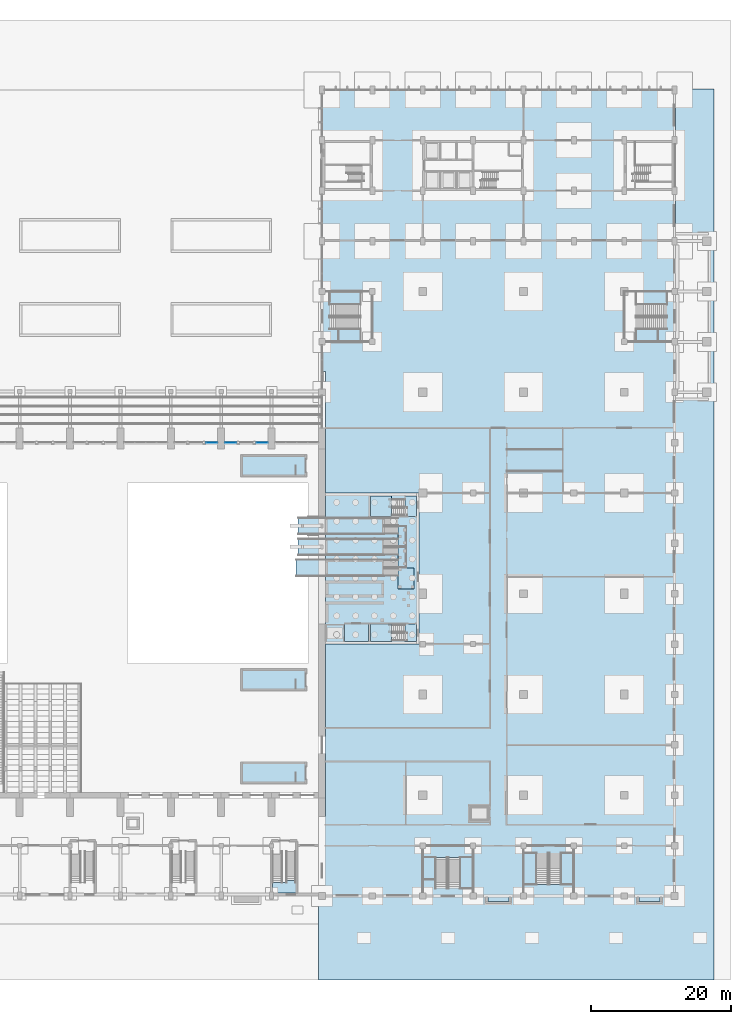
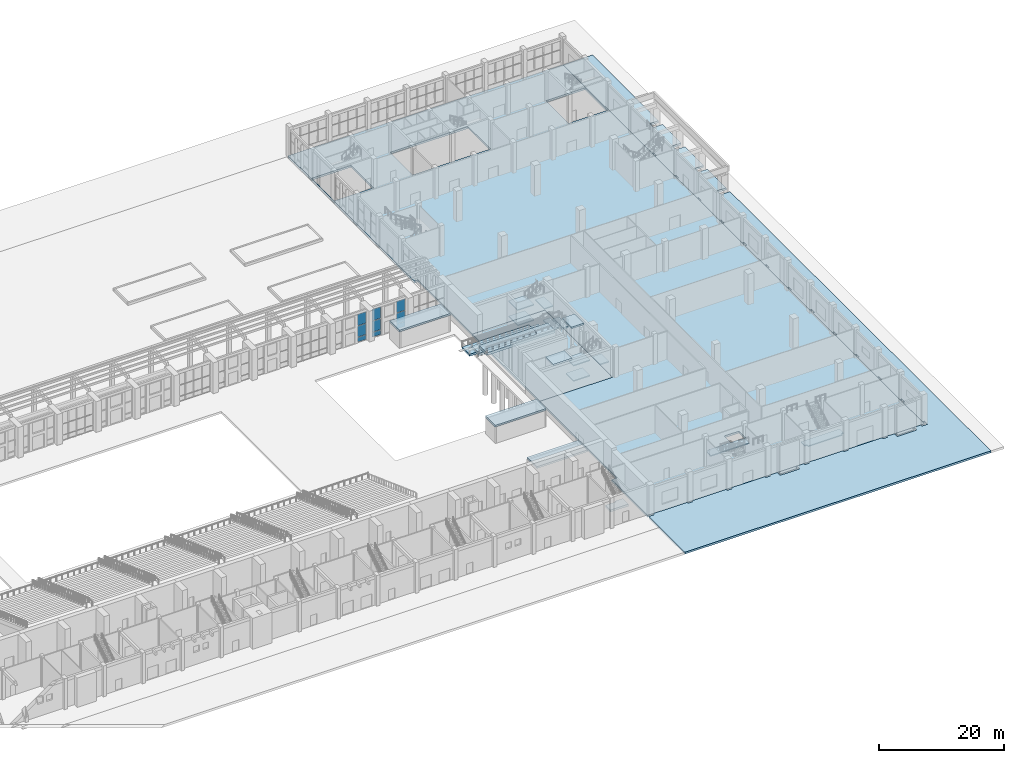
# One storey, part 35 of 70: 24 slabs, 9 plates, 9 elements without a shape of their own.
"""IFC4 building model written with IfcOpenShell, lengths in metres."""

from ifc_helpers import new_model, si_unit, direction, frame, origin, origin_2d, place, context, subcontext, project, spatial, polyline, rectangle, outline, extrude, material, layer, layer_set, type_object, element, aggregate, save


model = new_model("IFC4")

# Units and contexts
model_context = context("Model", 3, precision=1e-05, world=origin(), true_north=direction((0.0, 1.0)))
body_context = subcontext(model_context, "Body", "Model", "MODEL_VIEW")
ifc_project = project(units=[si_unit("LENGTHUNIT", "METRE"), si_unit("AREAUNIT", "SQUARE_METRE"), si_unit("VOLUMEUNIT", "CUBIC_METRE"), si_unit("PLANEANGLEUNIT", "RADIAN"), si_unit("MASSUNIT", "GRAM", prefix="KILO")], contexts=[model_context])

# Site, building, storey
site_placement = place(None, origin())
site = spatial("IfcSite", under=ifc_project, at=site_placement, CompositionType="ELEMENT")
building_placement = place(site_placement, origin())
building = spatial("IfcBuilding", under=site, at=building_placement, Name="Vermilion Court Aquatics Centre", CompositionType="ELEMENT")
storey_placement = place(building_placement, origin())
storey = spatial("IfcBuildingStorey", under=building, at=storey_placement, Name="L00", CompositionType="ELEMENT", Elevation=0.0)

# Slabs
ifc_material_1 = material(Name="Concrete 5000 psi", Category="concrete")
ifc_layer_1 = layer(ifc_material_1, 0.405029296875)
ifc_layer_set_1 = layer_set([ifc_layer_1], Name="Diving Tower ground slab 405")
slab_type_1 = type_object("IfcSlabType", Name="Diving Tower ground slab 405", PredefinedType="BASESLAB", material=ifc_layer_set_1)
slab_1_placement = place(storey_placement, frame((0.0, 0.0, -0.405029296875)))
element("IfcSlab", 1, at=slab_1_placement, inside=storey, type_object=slab_type_1, Name="Diving Tower ground slab L00", PredefinedType="BASESLAB", context=body_context, shape_type="SweptSolid", body=[
    extrude(outline(polyline([(144.5, 36.0), (157.89990234375, 36.0), (157.89990234375, 57.60009765625), (144.5, 57.60009765625), (144.5, 36.0)])), origin(), (0.0, 0.0, 1.0), 0.405029296875),
])
ifc_material_2 = material(Name="Concrete 8000 psi", Category="concrete")
ifc_layer_2 = layer(ifc_material_2, 0.35009765625)
ifc_layer_set_2 = layer_set([ifc_layer_2], Name="Diving Tower lift lobby ceiling slab 350")
slab_type_2 = type_object("IfcSlabType", Name="Diving Tower lift lobby ceiling slab 350", PredefinedType="FLOOR", material=ifc_layer_set_2)
slab_2_placement = place(storey_placement, frame((0.0, 0.0, 5.64990234375)))
element("IfcSlab", 2, at=slab_2_placement, inside=storey, type_object=slab_type_2, Name="Diving Tower lift lobby ceiling slab", PredefinedType="FLOOR", context=body_context, shape_type="SweptSolid", body=[
    extrude(outline(polyline([(147.199951171875, 36.39990234375), (150.64990234375, 36.39990234375), (150.64990234375, 38.875), (147.199951171875, 38.875), (147.199951171875, 36.39990234375)])), origin(), (0.0, 0.0, 1.0), 0.35009765625),
])

# Stair, slabs
ifc_material_3 = material(Name="Concrete 5000 psi", Category="concrete")
stair_type_1 = type_object("IfcStairType", Name="Diving Tower stair 1130", PredefinedType="HALF_TURN_STAIR", material=ifc_material_3)
stair_1_placement = place(storey_placement, origin())
stair_1 = element("IfcStair", 3, at=stair_1_placement, inside=storey, type_object=stair_type_1, Name="Exit stair ST-D1 L00", PredefinedType="HALF_TURN_STAIR")
ifc_material_4 = material(Name="Concrete 5000 psi", Category="concrete")
ifc_layer_3 = layer(ifc_material_4, 0.199951171875)
ifc_layer_set_3 = layer_set([ifc_layer_3], Name="Diving Tower stair landing 200")
slab_type_3 = type_object("IfcSlabType", Name="Diving Tower stair landing 200", PredefinedType="LANDING", material=ifc_layer_set_3)
slab_3_placement = place(storey_placement, frame((0.0, 0.0, 1.300048828125)))
slab_3 = element("IfcSlab", 4, at=slab_3_placement, type_object=slab_type_3, Name="ST-D1 landing 1", PredefinedType="LANDING", context=body_context, shape_type="SweptSolid", body=[
    extrude(outline(polyline([(150.949951171875, 36.39990234375), (153.9599609375, 36.39990234375), (153.9599609375, 38.875), (150.949951171875, 38.875), (150.949951171875, 36.39990234375)])), origin(), (0.0, 0.0, 1.0), 0.199951171875),
])
slab_4_placement = place(storey_placement, frame((0.0, 0.0, 2.800048828125)))
slab_4 = element("IfcSlab", 5, at=slab_4_placement, type_object=slab_type_3, Name="ST-D1 landing 2", PredefinedType="LANDING", context=body_context, shape_type="SweptSolid", body=[
    extrude(outline(polyline([(155.85009765625, 36.39990234375), (157.5, 36.39990234375), (157.5, 38.875), (155.85009765625, 38.875), (155.85009765625, 36.39990234375)])), origin(), (0.0, 0.0, 1.0), 0.199951171875),
])
slab_5_placement = place(storey_placement, frame((0.0, 0.0, 4.300048828125)))
slab_5 = element("IfcSlab", 6, at=slab_5_placement, type_object=slab_type_3, Name="ST-D1 landing 3", PredefinedType="LANDING", context=body_context, shape_type="SweptSolid", body=[
    extrude(outline(polyline([(150.949951171875, 36.39990234375), (153.9599609375, 36.39990234375), (153.9599609375, 38.875), (150.949951171875, 38.875), (150.949951171875, 36.39990234375)])), origin(), (0.0, 0.0, 1.0), 0.199951171875),
])
aggregate(stair_1, [slab_3, slab_4, slab_5])

stair_2_placement = place(storey_placement, origin())
stair_2 = element("IfcStair", 7, at=stair_2_placement, inside=storey, type_object=stair_type_1, Name="Exit stair ST-D2 L00", PredefinedType="HALF_TURN_STAIR")
slab_6_placement = place(storey_placement, frame((0.0, 0.0, 1.300048828125)))
slab_6 = element("IfcSlab", 8, at=slab_6_placement, type_object=slab_type_3, Name="ST-D2 landing 1", PredefinedType="LANDING", context=body_context, shape_type="SweptSolid", body=[
    extrude(outline(polyline([(150.949951171875, 54.27490234375), (153.9599609375, 54.27490234375), (153.9599609375, 57.199951171875), (150.949951171875, 57.199951171875), (150.949951171875, 54.27490234375)])), origin(), (0.0, 0.0, 1.0), 0.199951171875),
])
slab_7_placement = place(storey_placement, frame((0.0, 0.0, 2.800048828125)))
slab_7 = element("IfcSlab", 9, at=slab_7_placement, type_object=slab_type_3, Name="ST-D2 landing 2", PredefinedType="LANDING", context=body_context, shape_type="SweptSolid", body=[
    extrude(outline(polyline([(155.85009765625, 54.27490234375), (157.5, 54.27490234375), (157.5, 57.199951171875), (155.85009765625, 57.199951171875), (155.85009765625, 54.27490234375)])), origin(), (0.0, 0.0, 1.0), 0.199951171875),
])
slab_8_placement = place(storey_placement, frame((0.0, 0.0, 4.300048828125)))
slab_8 = element("IfcSlab", 10, at=slab_8_placement, type_object=slab_type_3, Name="ST-D2 landing 3", PredefinedType="LANDING", context=body_context, shape_type="SweptSolid", body=[
    extrude(outline(polyline([(150.949951171875, 54.27490234375), (153.9599609375, 54.27490234375), (153.9599609375, 57.199951171875), (150.949951171875, 57.199951171875), (150.949951171875, 54.27490234375)])), origin(), (0.0, 0.0, 1.0), 0.199951171875),
])
aggregate(stair_2, [slab_6, slab_7, slab_8])

# Curtain wall, plates
ifc_material_5 = material(Name="Aluminium 6063-T5", Category="aluminium")
curtain_wall_type = type_object("IfcCurtainWallType", Name="Envelope curtain wall hall glazing L00", PredefinedType="NOTDEFINED", material=ifc_material_5)
curtain_wall_1_placement = place(storey_placement, origin())
curtain_wall_1 = element("IfcCurtainWall", 11, at=curtain_wall_1_placement, inside=storey, type_object=curtain_wall_type, Name="Hall entrance sidelight bay 16 L00 E", PredefinedType="NOTDEFINED")
ifc_material_6 = material(Name="Glazing", Category="glass")
ifc_layer_4 = layer(ifc_material_6, 0.028076171875)
ifc_layer_set_4 = layer_set([ifc_layer_4], Name="Envelope insulated glazing panel 28")
plate_type = type_object("IfcPlateType", Name="Envelope insulated glazing panel 28", PredefinedType="CURTAIN_PANEL", material=ifc_layer_set_4)
plate_1_placement = place(storey_placement, frame((128.25, 64.800048828125, 0.06005859375), z_axis=(0.0, 0.0, 1.0), x_axis=(1.0, 0.0, 0.0)))
plate_1 = element("IfcPlate", 12, at=plate_1_placement, type_object=plate_type, Name="ECW1 panel 1.1", PredefinedType="CURTAIN_PANEL", context=body_context, shape_type="SweptSolid", body=[
    extrude(rectangle(XDim=1.580078125, YDim=0.028076171875, at=origin_2d()), origin(), (0.0, 0.0, 1.0), 0.909912109375),
])
plate_2_placement = place(storey_placement, frame((128.25, 64.800048828125, 1.0302734375), z_axis=(0.0, 0.0, 1.0), x_axis=(1.0, 0.0, 0.0)))
plate_2 = element("IfcPlate", 13, at=plate_2_placement, type_object=plate_type, Name="ECW1 panel 1.2", PredefinedType="CURTAIN_PANEL", context=body_context, shape_type="SweptSolid", body=[
    extrude(rectangle(XDim=1.580078125, YDim=0.028076171875, at=origin_2d()), origin(), (0.0, 0.0, 1.0), 2.139892578125),
])
plate_3_placement = place(storey_placement, frame((128.25, 64.800048828125, 3.22998046875), z_axis=(0.0, 0.0, 1.0), x_axis=(1.0, 0.0, 0.0)))
plate_3 = element("IfcPlate", 14, at=plate_3_placement, type_object=plate_type, Name="ECW1 panel 1.3", PredefinedType="CURTAIN_PANEL", context=body_context, shape_type="SweptSolid", body=[
    extrude(rectangle(XDim=1.580078125, YDim=0.028076171875, at=origin_2d()), origin(), (0.0, 0.0, 1.0), 2.260009765625),
])
aggregate(curtain_wall_1, [plate_1, plate_2, plate_3])

curtain_wall_2_placement = place(storey_placement, origin())
curtain_wall_2 = element("IfcCurtainWall", 15, at=curtain_wall_2_placement, inside=storey, type_object=curtain_wall_type, Name="Hall entrance sidelight bay 17 L00 W", PredefinedType="NOTDEFINED")
plate_4_placement = place(storey_placement, frame((130.949951171875, 64.800048828125, 0.06005859375), z_axis=(0.0, 0.0, 1.0), x_axis=(1.0, 0.0, 0.0)))
plate_4 = element("IfcPlate", 16, at=plate_4_placement, type_object=plate_type, Name="ECW1 panel 1.1", PredefinedType="CURTAIN_PANEL", context=body_context, shape_type="SweptSolid", body=[
    extrude(rectangle(XDim=1.580078125, YDim=0.028076171875, at=origin_2d()), origin(), (0.0, 0.0, 1.0), 0.909912109375),
])
plate_5_placement = place(storey_placement, frame((130.949951171875, 64.800048828125, 1.0302734375), z_axis=(0.0, 0.0, 1.0), x_axis=(1.0, 0.0, 0.0)))
plate_5 = element("IfcPlate", 17, at=plate_5_placement, type_object=plate_type, Name="ECW1 panel 1.2", PredefinedType="CURTAIN_PANEL", context=body_context, shape_type="SweptSolid", body=[
    extrude(rectangle(XDim=1.580078125, YDim=0.028076171875, at=origin_2d()), origin(), (0.0, 0.0, 1.0), 2.139892578125),
])
plate_6_placement = place(storey_placement, frame((130.949951171875, 64.800048828125, 3.22998046875), z_axis=(0.0, 0.0, 1.0), x_axis=(1.0, 0.0, 0.0)))
plate_6 = element("IfcPlate", 18, at=plate_6_placement, type_object=plate_type, Name="ECW1 panel 1.3", PredefinedType="CURTAIN_PANEL", context=body_context, shape_type="SweptSolid", body=[
    extrude(rectangle(XDim=1.580078125, YDim=0.028076171875, at=origin_2d()), origin(), (0.0, 0.0, 1.0), 2.260009765625),
])
aggregate(curtain_wall_2, [plate_4, plate_5, plate_6])

curtain_wall_3_placement = place(storey_placement, origin())
curtain_wall_3 = element("IfcCurtainWall", 19, at=curtain_wall_3_placement, inside=storey, type_object=curtain_wall_type, Name="Hall entrance sidelight bay 17 L00 E", PredefinedType="NOTDEFINED")
plate_7_placement = place(storey_placement, frame((135.449951171875, 64.800048828125, 0.06005859375), z_axis=(0.0, 0.0, 1.0), x_axis=(1.0, 0.0, 0.0)))
plate_7 = element("IfcPlate", 20, at=plate_7_placement, type_object=plate_type, Name="ECW1 panel 1.1", PredefinedType="CURTAIN_PANEL", context=body_context, shape_type="SweptSolid", body=[
    extrude(rectangle(XDim=1.580078125, YDim=0.028076171875, at=origin_2d()), origin(), (0.0, 0.0, 1.0), 0.909912109375),
])
plate_8_placement = place(storey_placement, frame((135.449951171875, 64.800048828125, 1.0302734375), z_axis=(0.0, 0.0, 1.0), x_axis=(1.0, 0.0, 0.0)))
plate_8 = element("IfcPlate", 21, at=plate_8_placement, type_object=plate_type, Name="ECW1 panel 1.2", PredefinedType="CURTAIN_PANEL", context=body_context, shape_type="SweptSolid", body=[
    extrude(rectangle(XDim=1.580078125, YDim=0.028076171875, at=origin_2d()), origin(), (0.0, 0.0, 1.0), 2.139892578125),
])
plate_9_placement = place(storey_placement, frame((135.449951171875, 64.800048828125, 3.22998046875), z_axis=(0.0, 0.0, 1.0), x_axis=(1.0, 0.0, 0.0)))
plate_9 = element("IfcPlate", 22, at=plate_9_placement, type_object=plate_type, Name="ECW1 panel 1.3", PredefinedType="CURTAIN_PANEL", context=body_context, shape_type="SweptSolid", body=[
    extrude(rectangle(XDim=1.580078125, YDim=0.028076171875, at=origin_2d()), origin(), (0.0, 0.0, 1.0), 2.260009765625),
])
aggregate(curtain_wall_3, [plate_7, plate_8, plate_9])

# Slabs
ifc_material_7 = material(Name="Concrete 5000 psi", Category="concrete")
ifc_layer_5 = layer(ifc_material_7, 0.405029296875)
ifc_layer_set_5 = layer_set([ifc_layer_5], Name="Hall diving platform slab 405")
slab_type_4 = type_object("IfcSlabType", Name="Hall diving platform slab 405", PredefinedType="FLOOR", material=ifc_layer_set_5)
slab_9_placement = place(storey_placement, frame((0.0, 0.0, 0.594970703125)))
element("IfcSlab", 23, at=slab_9_placement, inside=storey, type_object=slab_type_4, Name="Diving platform 1 m", PredefinedType="FLOOR", context=body_context, shape_type="SweptSolid", body=[
    extrude(outline(polyline([(140.60009765625, 51.699951171875), (152.89990234375, 51.699951171875), (152.89990234375, 54.10009765625), (140.60009765625, 54.10009765625), (140.60009765625, 51.699951171875)])), origin(), (0.0, 0.0, 1.0), 0.405029296875),
])
ifc_material_8 = material(Name="Concrete 5000 psi", Category="concrete")
ifc_layer_6 = layer(ifc_material_8, 0.449951171875)
ifc_layer_set_6 = layer_set([ifc_layer_6], Name="Hall diving platform slab 450")
slab_type_5 = type_object("IfcSlabType", Name="Hall diving platform slab 450", PredefinedType="FLOOR", material=ifc_layer_set_6)
slab_10_placement = place(storey_placement, frame((0.0, 0.0, 2.550048828125)))
element("IfcSlab", 24, at=slab_10_placement, inside=storey, type_object=slab_type_5, Name="Diving platform 3 m", PredefinedType="FLOOR", context=body_context, shape_type="SweptSolid", body=[
    extrude(outline(polyline([(140.60009765625, 48.699951171875), (152.89990234375, 48.699951171875), (152.89990234375, 51.10009765625), (140.60009765625, 51.10009765625), (140.60009765625, 48.699951171875)])), origin(), (0.0, 0.0, 1.0), 0.449951171875),
])
ifc_material_9 = material(Name="Concrete 5000 psi", Category="concrete")
ifc_layer_7 = layer(ifc_material_9, 0.5)
ifc_layer_set_7 = layer_set([ifc_layer_7], Name="Hall diving platform slab 500")
slab_type_6 = type_object("IfcSlabType", Name="Hall diving platform slab 500", PredefinedType="FLOOR", material=ifc_layer_set_7)
slab_11_placement = place(storey_placement, frame((0.0, 0.0, 4.5)))
element("IfcSlab", 25, at=slab_11_placement, inside=storey, type_object=slab_type_6, Name="Diving platform 5 m", PredefinedType="FLOOR", context=body_context, shape_type="SweptSolid", body=[
    extrude(outline(polyline([(140.300048828125, 45.699951171875), (152.89990234375, 45.699951171875), (152.89990234375, 48.10009765625), (140.300048828125, 48.10009765625), (140.300048828125, 45.699951171875)])), origin(), (0.0, 0.0, 1.0), 0.5),
])

# Stair, slabs
ifc_material_10 = material(Name="Concrete 5000 psi", Category="concrete")
stair_type_2 = type_object("IfcStairType", Name="Hall diving tower entry stair", PredefinedType="HALF_TURN_STAIR", material=ifc_material_10)
stair_3_placement = place(storey_placement, origin())
stair_3 = element("IfcStair", 26, at=stair_3_placement, inside=storey, type_object=stair_type_2, Name="Diving tower stair A", PredefinedType="HALF_TURN_STAIR")
ifc_material_11 = material(Name="Concrete 5000 psi", Category="concrete")
ifc_layer_8 = layer(ifc_material_11, 0.300048828125)
ifc_layer_set_8 = layer_set([ifc_layer_8], Name="Hall diving stair landing 300")
slab_type_7 = type_object("IfcSlabType", Name="Hall diving stair landing 300", PredefinedType="LANDING", material=ifc_layer_set_8)
slab_12_placement = place(storey_placement, frame((0.0, 0.0, 1.699951171875)))
slab_12 = element("IfcSlab", 27, at=slab_12_placement, type_object=slab_type_7, Name="HT5 landing 1", PredefinedType="LANDING", context=body_context, shape_type="SweptSolid", body=[
    extrude(outline(polyline([(154.860107421875, 49.89990234375), (156.06005859375, 49.89990234375), (156.06005859375, 52.89990234375), (154.860107421875, 52.89990234375), (154.860107421875, 49.89990234375)])), origin(), (0.0, 0.0, 1.0), 0.300048828125),
])
slab_13_placement = place(storey_placement, frame((0.0, 0.0, 3.699951171875)))
slab_13 = element("IfcSlab", 28, at=slab_13_placement, type_object=slab_type_7, Name="HT5 landing 2", PredefinedType="LANDING", context=body_context, shape_type="SweptSolid", body=[
    extrude(outline(polyline([(154.860107421875, 46.89990234375), (156.06005859375, 46.89990234375), (156.06005859375, 49.89990234375), (154.860107421875, 49.89990234375), (154.860107421875, 46.89990234375)])), origin(), (0.0, 0.0, 1.0), 0.300048828125),
])
slab_14_placement = place(storey_placement, frame((0.0, 0.0, 5.699951171875)))
slab_14 = element("IfcSlab", 29, at=slab_14_placement, type_object=slab_type_7, Name="HT5 landing 3", PredefinedType="LANDING", context=body_context, shape_type="SweptSolid", body=[
    extrude(outline(polyline([(154.860107421875, 43.89990234375), (157.179931640625, 43.89990234375), (157.179931640625, 46.89990234375), (154.860107421875, 46.89990234375), (154.860107421875, 43.89990234375)])), origin(), (0.0, 0.0, 1.0), 0.300048828125),
])
aggregate(stair_3, [slab_12, slab_13, slab_14])

# Slabs
ifc_material_12 = material(Name="Concrete 5000 psi", Category="concrete")
ifc_layer_9 = layer(ifc_material_12, 0.35009765625)
ifc_layer_set_9 = layer_set([ifc_layer_9], Name="Hall stair lobby roof slab 350")
slab_type_8 = type_object("IfcSlabType", Name="Hall stair lobby roof slab 350", PredefinedType="ROOF", material=ifc_layer_set_9)
slab_15_placement = place(storey_placement, frame((0.0, 0.0, 3.199951171875)))
element("IfcSlab", 30, at=slab_15_placement, inside=storey, type_object=slab_type_8, Name="Stair lobby 4 roof slab", PredefinedType="ROOF", context=body_context, shape_type="SweptSolid", body=[
    extrude(outline(polyline([(132.39990234375, 16.050048828125), (141.800048828125, 16.050048828125), (141.800048828125, 19.14990234375), (132.39990234375, 19.14990234375), (132.39990234375, 16.050048828125)])), origin(), (0.0, 0.0, 1.0), 0.35009765625),
])
slab_16_placement = place(storey_placement, frame((0.0, 0.0, 3.199951171875)))
element("IfcSlab", 31, at=slab_16_placement, inside=storey, type_object=slab_type_8, Name="Stair lobby 5 roof slab", PredefinedType="ROOF", context=body_context, shape_type="SweptSolid", body=[
    extrude(outline(polyline([(132.39990234375, 29.35009765625), (141.800048828125, 29.35009765625), (141.800048828125, 32.449951171875), (132.39990234375, 32.449951171875), (132.39990234375, 29.35009765625)])), origin(), (0.0, 0.0, 1.0), 0.35009765625),
])
slab_17_placement = place(storey_placement, frame((0.0, 0.0, 3.199951171875)))
element("IfcSlab", 32, at=slab_17_placement, inside=storey, type_object=slab_type_8, Name="Stair lobby 6 roof slab", PredefinedType="ROOF", context=body_context, shape_type="SweptSolid", body=[
    extrude(outline(polyline([(132.39990234375, 59.949951171875), (141.800048828125, 59.949951171875), (141.800048828125, 63.050048828125), (132.39990234375, 63.050048828125), (132.39990234375, 59.949951171875)])), origin(), (0.0, 0.0, 1.0), 0.35009765625),
])
ifc_material_13 = material(Name="Concrete 5000 psi", Category="concrete")
ifc_layer_10 = layer(ifc_material_13, 0.3798828125)
ifc_layer_set_10 = layer_set([ifc_layer_10], Name="Podium apron paving 380")
slab_type_9 = type_object("IfcSlabType", Name="Podium apron paving 380", PredefinedType="FLOOR", material=ifc_layer_set_10)
slab_18_placement = place(storey_placement, frame((0.0, 0.0, -0.3798828125)))
element("IfcSlab", 33, at=slab_18_placement, inside=storey, type_object=slab_type_9, Name="Apron paving", PredefinedType="FLOOR", context=body_context, shape_type="SweptSolid", body=[
    extrude(outline(polyline([(200.0, -12.0), (143.5, -12.0), (143.5, -0.5), (144.5, -0.5), (144.5, -0.14990234375), (150.75, -0.14990234375), (150.75, -0.449951171875), (151.64990234375, -0.449951171875), (151.64990234375, -0.14990234375), (157.949951171875, -0.14990234375), (157.949951171875, -0.449951171875), (158.85009765625, -0.449951171875), (158.85009765625, -0.14990234375), (165.14990234375, -0.14990234375), (165.14990234375, -0.449951171875), (166.050048828125, -0.449951171875), (166.050048828125, -0.14990234375), (167.39990234375, -0.14990234375), (167.39990234375, -1.050048828125), (171.0, -1.050048828125), (171.0, -0.14990234375), (172.35009765625, -0.14990234375), (172.35009765625, -0.449951171875), (173.25, -0.449951171875), (173.25, -0.14990234375), (179.550048828125, -0.14990234375), (179.550048828125, -0.449951171875), (180.449951171875, -0.449951171875), (180.449951171875, -0.14990234375), (186.75, -0.14990234375), (186.75, -0.449951171875), (187.64990234375, -0.449951171875), (187.64990234375, -0.14990234375), (189.0, -0.14990234375), (189.0, -1.050048828125), (192.60009765625, -1.050048828125), (192.60009765625, -0.14990234375), (193.89990234375, -0.14990234375), (193.89990234375, -0.5), (194.89990234375, -0.5), (194.89990234375, 0.5), (194.550048828125, 0.5), (194.550048828125, 6.75), (194.85009765625, 6.75), (194.85009765625, 7.64990234375), (194.550048828125, 7.64990234375), (194.550048828125, 13.949951171875), (194.85009765625, 13.949951171875), (194.85009765625, 14.85009765625), (194.550048828125, 14.85009765625), (194.550048828125, 21.14990234375), (194.85009765625, 21.14990234375), (194.85009765625, 22.050048828125), (194.550048828125, 22.050048828125), (194.550048828125, 28.35009765625), (194.85009765625, 28.35009765625), (194.85009765625, 29.25), (194.550048828125, 29.25), (194.550048828125, 35.550048828125), (194.85009765625, 35.550048828125), (194.85009765625, 36.449951171875), (194.550048828125, 36.449951171875), (194.550048828125, 42.75), (194.85009765625, 42.75), (194.85009765625, 43.64990234375), (194.550048828125, 43.64990234375), (194.550048828125, 49.949951171875), (194.85009765625, 49.949951171875), (194.85009765625, 50.85009765625), (194.550048828125, 50.85009765625), (194.550048828125, 57.14990234375), (194.85009765625, 57.14990234375), (194.85009765625, 58.050048828125), (194.550048828125, 58.050048828125), (194.550048828125, 64.35009765625), (194.85009765625, 64.35009765625), (194.85009765625, 65.25), (194.550048828125, 65.25), (194.550048828125, 71.550048828125), (194.800048828125, 71.550048828125), (194.800048828125, 72.449951171875), (194.550048828125, 72.449951171875), (194.550048828125, 78.75), (194.800048828125, 78.75), (194.800048828125, 79.64990234375), (194.550048828125, 79.64990234375), (194.550048828125, 85.949951171875), (194.800048828125, 85.949951171875), (194.800048828125, 86.85009765625), (194.550048828125, 86.85009765625), (194.550048828125, 115.35009765625), (200.0, 115.35009765625), (200.0, 94.199951171875), (198.39990234375, 94.199951171875), (198.39990234375, 93.0), (200.0, 93.0), (200.0, 87.0), (198.39990234375, 87.0), (198.39990234375, 85.800048828125), (200.0, 85.800048828125), (200.0, 79.800048828125), (198.39990234375, 79.800048828125), (198.39990234375, 78.60009765625), (200.0, 78.60009765625), (200.0, 72.60009765625), (198.39990234375, 72.60009765625), (198.39990234375, 71.39990234375), (200.0, 71.39990234375), (200.0, -12.0)])), origin(), (0.0, 0.0, 1.0), 0.3798828125),
])
ifc_material_14 = material(Name="Concrete 5000 psi", Category="concrete")
ifc_layer_11 = layer(ifc_material_14, 0.5)
ifc_layer_set_11 = layer_set([ifc_layer_11], Name="Podium projecting bay plinth slab 500")
slab_type_10 = type_object("IfcSlabType", Name="Podium projecting bay plinth slab 500", PredefinedType="BASESLAB", material=ifc_layer_set_11)
slab_19_placement = place(storey_placement, frame((0.0, 0.0, -0.5)))
element("IfcSlab", 34, at=slab_19_placement, inside=storey, type_object=slab_type_10, Name="Projecting bay plinth slab", PredefinedType="BASESLAB", context=body_context, shape_type="SweptSolid", body=[
    extrude(outline(polyline([(170.699951171875, -0.75), (170.699951171875, -0.14990234375), (167.699951171875, -0.14990234375), (167.699951171875, -0.75), (170.699951171875, -0.75)])), origin(), (0.0, 0.0, 1.0), 0.5),
])
slab_20_placement = place(storey_placement, frame((0.0, 0.0, -0.5)))
element("IfcSlab", 35, at=slab_20_placement, inside=storey, type_object=slab_type_10, Name="Projecting bay plinth slab", PredefinedType="BASESLAB", context=body_context, shape_type="SweptSolid", body=[
    extrude(outline(polyline([(192.300048828125, -0.75), (192.300048828125, -0.14990234375), (189.300048828125, -0.14990234375), (189.300048828125, -0.75), (192.300048828125, -0.75)])), origin(), (0.0, 0.0, 1.0), 0.5),
])
ifc_material_15 = material(Name="Concrete 5000 psi", Category="concrete")
ifc_layer_12 = layer(ifc_material_15, 0.3798828125)
ifc_layer_set_12 = layer_set([ifc_layer_12], Name="Podium slab on grade 380")
slab_type_11 = type_object("IfcSlabType", Name="Podium slab on grade 380", PredefinedType="BASESLAB", material=ifc_layer_set_12)
slab_21_placement = place(storey_placement, frame((0.0, 0.0, -0.3798828125)))
element("IfcSlab", 36, at=slab_21_placement, inside=storey, type_object=slab_type_11, Name="Ground floor slab on grade", PredefinedType="BASESLAB", context=body_context, shape_type="SweptSolid", body=[
    extrude(outline(polyline([(143.85009765625, 75.0), (143.85009765625, 115.35009765625), (194.550048828125, 115.35009765625), (194.550048828125, -0.14990234375), (143.5, -0.14990234375), (143.5, 11.39990234375), (144.5, 11.39990234375), (144.5, 36.0), (157.89990234375, 36.0), (157.89990234375, 57.60009765625), (144.5, 57.60009765625), (144.5, 75.0), (143.85009765625, 75.0)]), holes=[polyline([(151.199951171875, 100.800048828125), (151.199951171875, 108.0), (144.0, 108.0), (144.0, 100.800048828125), (151.199951171875, 100.800048828125)]), polyline([(172.800048828125, 100.800048828125), (172.800048828125, 108.0), (158.39990234375, 108.0), (158.39990234375, 100.800048828125), (172.800048828125, 100.800048828125)]), polyline([(194.39990234375, 100.800048828125), (194.39990234375, 108.0), (187.199951171875, 108.0), (187.199951171875, 100.800048828125), (194.39990234375, 100.800048828125)]), polyline([(167.875, 12.875), (165.125, 12.875), (165.125, 10.72509765625), (167.875, 10.72509765625), (167.875, 12.875)])]), origin(), (0.0, 0.0, 1.0), 0.3798828125),
])

# Stair, slab
ifc_material_16 = material(Name="Concrete 5000 psi", Category="concrete")
stair_type_3 = type_object("IfcStairType", Name="Podium exit stair 1600 clear, two flights", PredefinedType="TWO_STRAIGHT_RUN_STAIR", material=ifc_material_16)
stair_4_placement = place(storey_placement, origin())
stair_4 = element("IfcStair", 37, at=stair_4_placement, inside=storey, type_object=stair_type_3, Name="Exit stair P1", PredefinedType="TWO_STRAIGHT_RUN_STAIR")
ifc_material_17 = material(Name="Concrete 5000 psi", Category="concrete")
ifc_layer_13 = layer(ifc_material_17, 0.199951171875)
ifc_layer_set_13 = layer_set([ifc_layer_13], Name="Podium stair landing 200")
slab_type_12 = type_object("IfcSlabType", Name="Podium stair landing 200", PredefinedType="LANDING", material=ifc_layer_set_13)
slab_22_placement = place(storey_placement, frame((0.0, 0.0, 2.800048828125)))
slab_22 = element("IfcSlab", 38, at=slab_22_placement, type_object=slab_type_12, Name="ST-P1 landing 1", PredefinedType="LANDING", context=body_context, shape_type="SweptSolid", body=[
    extrude(outline(polyline([(158.77490234375, 7.137451171875), (165.22509765625, 7.137451171875), (165.22509765625, 6.824951171875), (165.53759765625, 6.824951171875), (165.53759765625, 5.534423828125), (158.46240234375, 5.534423828125), (158.46240234375, 6.824951171875), (158.77490234375, 6.824951171875), (158.77490234375, 7.137451171875)])), origin(), (0.0, 0.0, 1.0), 0.199951171875),
])
aggregate(stair_4, [slab_22])

stair_5_placement = place(storey_placement, origin())
stair_5 = element("IfcStair", 39, at=stair_5_placement, inside=storey, type_object=stair_type_3, Name="Exit stair P2", PredefinedType="TWO_STRAIGHT_RUN_STAIR")
slab_23_placement = place(storey_placement, frame((0.0, 0.0, 2.800048828125)))
slab_23 = element("IfcSlab", 40, at=slab_23_placement, type_object=slab_type_12, Name="ST-P2 landing 1", PredefinedType="LANDING", context=body_context, shape_type="SweptSolid", body=[
    extrude(outline(polyline([(179.550048828125, 0.0625), (173.25, 0.0625), (173.25, 0.35009765625), (173.25, 0.449951171875), (172.862548828125, 0.449951171875), (172.862548828125, 1.66552734375), (179.9375, 1.66552734375), (179.9375, 0.449951171875), (179.550048828125, 0.449951171875), (179.550048828125, 0.35009765625), (179.550048828125, 0.0625)])), origin(), (0.0, 0.0, 1.0), 0.199951171875),
])
aggregate(stair_5, [slab_23])

ifc_material_18 = material(Name="Concrete 5000 psi", Category="concrete")
stair_type_4 = type_object("IfcStairType", Name="South exit stair", PredefinedType="HALF_TURN_STAIR", material=ifc_material_18)
stair_6_placement = place(storey_placement, origin())
stair_6 = element("IfcStair", 41, at=stair_6_placement, inside=storey, type_object=stair_type_4, Name="Exit stair S8", PredefinedType="HALF_TURN_STAIR")
ifc_material_19 = material(Name="Concrete 5000 psi", Category="concrete")
ifc_layer_14 = layer(ifc_material_19, 0.199951171875)
ifc_layer_set_14 = layer_set([ifc_layer_14], Name="South exit stair landing 200")
slab_type_13 = type_object("IfcSlabType", Name="South exit stair landing 200", PredefinedType="LANDING", material=ifc_layer_set_14)
slab_24_placement = place(storey_placement, frame((0.0, 0.0, 2.594970703125)))
slab_24 = element("IfcSlab", 42, at=slab_24_placement, type_object=slab_type_13, Name="SST1 landing 1", PredefinedType="LANDING", context=body_context, shape_type="SweptSolid", body=[
    extrude(outline(polyline([(136.925048828125, 0.39990234375), (140.27490234375, 0.39990234375), (140.27490234375, 2.219970703125), (138.875, 2.219970703125), (138.875, 1.969970703125), (136.925048828125, 1.969970703125), (136.925048828125, 0.39990234375)])), origin(), (0.0, 0.0, 1.0), 0.405029296875),
])
aggregate(stair_6, [slab_24])

save(model, "model.ifc")
